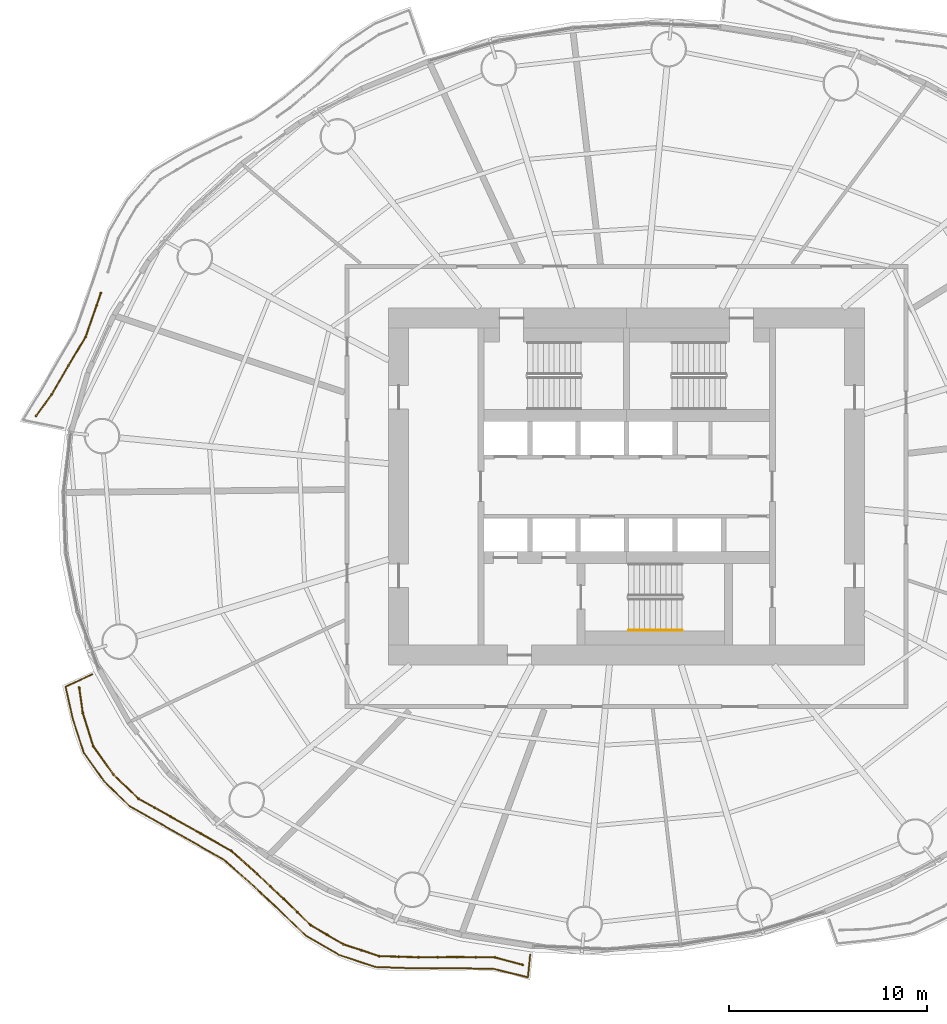
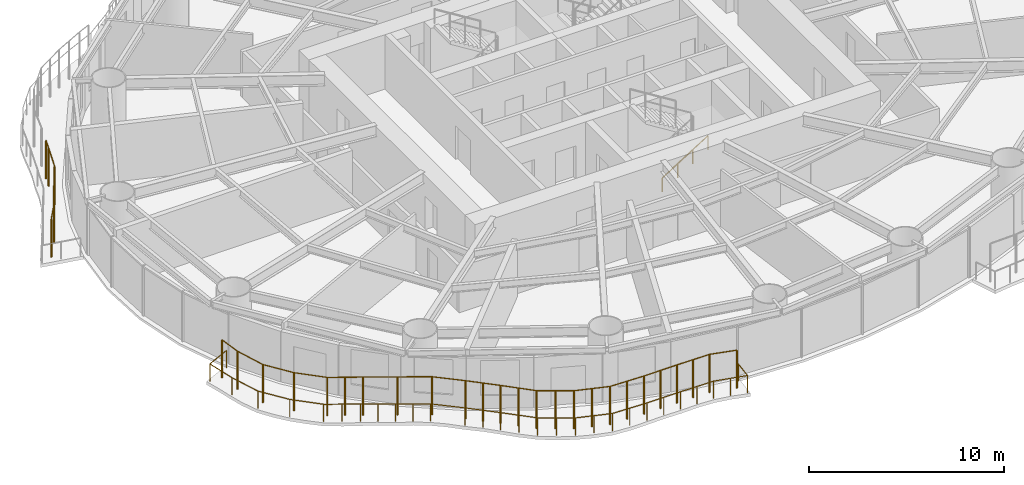
# One storey, part 12 of 16: 4 railings.
"""IFC4 building model written with IfcOpenShell, lengths in metres."""

from ifc_helpers import new_model, si_unit, direction, frame, origin, origin_2d, place, context, subcontext, project, spatial, circle, extrude, material, type_object, element, save


model = new_model("IFC4")

# Units and contexts
model_context = context("Model", 3, precision=1e-05, world=origin(), true_north=direction((0.0, 1.0)))
body_context = subcontext(model_context, "Body", "Model", "MODEL_VIEW")
ifc_project = project(units=[si_unit("LENGTHUNIT", "METRE"), si_unit("AREAUNIT", "SQUARE_METRE"), si_unit("VOLUMEUNIT", "CUBIC_METRE"), si_unit("PLANEANGLEUNIT", "RADIAN"), si_unit("MASSUNIT", "GRAM", prefix="KILO")], contexts=[model_context])

# Site, building, storey
site_placement = place(None, origin())
site = spatial("IfcSite", under=ifc_project, at=site_placement, CompositionType="ELEMENT")
building_placement = place(site_placement, origin())
building = spatial("IfcBuilding", under=site, at=building_placement, Name="Vermilion Reach Broadcast Tower", CompositionType="ELEMENT")
storey_placement = place(building_placement, frame((0.0, 0.0, 61.89990234375)))
storey = spatial("IfcBuildingStorey", under=building, at=storey_placement, Name="L12", CompositionType="ELEMENT", Elevation=61.89990234375)

# Railings
ifc_material_1 = material(Name="Terracotta baguette", Category="masonry")
railing_type_1 = type_object("IfcRailingType", Name="BAGUETTE SCREEN", PredefinedType="USERDEFINED", material=ifc_material_1)
railing_1_placement = place(storey_placement, frame((-32.52294921875, 9.761474609375, 0.0)))
element("IfcRailing", 1, at=railing_1_placement, inside=storey, type_object=railing_type_1, Name="Baguette screen L12 group 2 part 3", ObjectType="BAGUETTE SCREEN", PredefinedType="USERDEFINED", context=body_context, shape_type="SweptSolid", body=[
    extrude(circle(Radius=0.030029296875, at=origin_2d()), frame((0.0, 0.0, 2.369873046875), z_axis=(-0.320466068146, -0.947259995549, 0.0), x_axis=(0.947259995549, -0.320466068146, 0.0)), (0.0, 0.0, 1.0), 0.67333984375),
    extrude(circle(Radius=0.030029296875, at=origin_2d()), frame((-0.2158203125, -0.637939453125, 2.369873046875), z_axis=(-0.331229276128, -0.943550298943, 0.0), x_axis=(0.943550298943, -0.331229276128, 0.0)), (0.0, 0.0, 1.0), 1.670166015625),
    extrude(circle(Radius=0.030029296875, at=origin_2d()), frame((-0.76904296875, -2.2138671875, 2.369873046875), z_axis=(-0.513020723862, -0.858376221064, 0.0), x_axis=(0.858376221064, -0.513020723862, 0.0)), (0.0, 0.0, 1.0), 1.680419921875),
    extrude(circle(Radius=0.030029296875, at=origin_2d()), frame((-1.631103515625, -3.65625, 2.369873046875), z_axis=(-0.502756123211, -0.864428296953, 0.0), x_axis=(0.864428296953, -0.502756123211, 0.0)), (0.0, 0.0, 1.0), 1.68896484375),
    extrude(circle(Radius=0.030029296875, at=origin_2d()), frame((-2.480224609375, -5.1162109375, 2.369873046875), z_axis=(-0.588388437754, -0.808578410742, 0.0), x_axis=(0.808578410742, -0.588388437754, 0.0)), (0.0, 0.0, 1.0), 1.33935546875),
    extrude(circle(Radius=0.050048828125, at=origin_2d()), origin(), (0.0, 0.0, 1.0), 2.33984375),
    extrude(circle(Radius=0.050048828125, at=origin_2d()), frame((-0.2158203125, -0.637939453125, 0.0)), (0.0, 0.0, 1.0), 2.33984375),
    extrude(circle(Radius=0.050048828125, at=origin_2d()), frame((-0.76904296875, -2.2138671875, 0.0)), (0.0, 0.0, 1.0), 2.33984375),
    extrude(circle(Radius=0.050048828125, at=origin_2d()), frame((-1.631103515625, -3.65625, 0.0)), (0.0, 0.0, 1.0), 2.33984375),
    extrude(circle(Radius=0.050048828125, at=origin_2d()), frame((-2.480224609375, -5.1162109375, 0.0)), (0.0, 0.0, 1.0), 2.33984375),
    extrude(circle(Radius=0.050048828125, at=origin_2d()), frame((-3.268310546875, -6.19921875, 0.0)), (0.0, 0.0, 1.0), 2.33984375),
])
railing_2_placement = place(storey_placement, frame((-33.613037109375, -10.14208984375, 0.0)))
element("IfcRailing", 2, at=railing_2_placement, inside=storey, type_object=railing_type_1, Name="Baguette screen L12 group 3", ObjectType="BAGUETTE SCREEN", PredefinedType="USERDEFINED", context=body_context, shape_type="SweptSolid", body=[
    extrude(circle(Radius=0.030029296875, at=origin_2d()), frame((0.0, 0.0, 2.369873046875), z_axis=(0.138658900902, -0.99034019872, 0.0), x_axis=(0.99034019872, 0.138658900902, 0.0)), (0.0, 0.0, 1.0), 1.29931640625),
    extrude(circle(Radius=0.030029296875, at=origin_2d()), frame((0.18017578125, -1.286865234375, 2.369873046875), z_axis=(0.301257779547, -0.953542736463, 0.0), x_axis=(0.953542736463, 0.301257779547, 0.0)), (0.0, 0.0, 1.0), 1.756103515625),
    extrude(circle(Radius=0.030029296875, at=origin_2d()), frame((0.709228515625, -2.96142578125, 2.369873046875), z_axis=(0.580593120806, -0.814193851655, 0.0), x_axis=(0.814193851655, 0.580593120806, 0.0)), (0.0, 0.0, 1.0), 1.754638671875),
    extrude(circle(Radius=0.030029296875, at=origin_2d()), frame((1.72802734375, -4.39013671875, 2.369873046875), z_axis=(0.720150031843, -0.693818370783, 0.0), x_axis=(0.693818370783, 0.720150031843, 0.0)), (0.0, 0.0, 1.0), 1.75244140625),
    extrude(circle(Radius=0.030029296875, at=origin_2d()), frame((2.989990234375, -5.60595703125, 2.369873046875), z_axis=(0.873510643514, -0.486805048934, 0.0), x_axis=(0.486805048934, 0.873510643514, 0.0)), (0.0, 0.0, 1.0), 1.836669921875),
    extrude(circle(Radius=0.030029296875, at=origin_2d()), frame((4.59423828125, -6.5, 2.369873046875), z_axis=(0.871915370776, -0.489656600287, 0.0), x_axis=(0.489656600287, 0.871915370776, 0.0)), (0.0, 0.0, 1.0), 1.763916015625),
    extrude(circle(Radius=0.030029296875, at=origin_2d()), frame((6.13232421875, -7.36376953125, 2.369873046875), z_axis=(0.869841827298, -0.493330716135, 0.0), x_axis=(0.493330716135, 0.869841827298, 0.0)), (0.0, 0.0, 1.0), 1.76171875),
    extrude(circle(Radius=0.030029296875, at=origin_2d()), frame((7.664794921875, -8.23291015625, 2.369873046875), z_axis=(0.747363168218, -0.664415754472, 0.0), x_axis=(0.664415754472, 0.747363168218, 0.0)), (0.0, 0.0, 1.0), 1.751220703125),
    extrude(circle(Radius=0.030029296875, at=origin_2d()), frame((8.9736328125, -9.396484375, 2.369873046875), z_axis=(0.728347603327, -0.685207828857, 0.0), x_axis=(0.685207828857, 0.728347603327, 0.0)), (0.0, 0.0, 1.0), 1.844970703125),
    extrude(circle(Radius=0.030029296875, at=origin_2d()), frame((10.3173828125, -10.66064453125, 2.369873046875), z_axis=(0.716430873022, -0.69765808544, 0.0), x_axis=(0.69765808544, 0.716430873022, 0.0)), (0.0, 0.0, 1.0), 1.91162109375),
    extrude(circle(Radius=0.030029296875, at=origin_2d()), frame((11.68701171875, -11.994384765625, 2.369873046875), z_axis=(0.864433380828, -0.502747382002, 0.0), x_axis=(0.502747382002, 0.864433380828, 0.0)), (0.0, 0.0, 1.0), 1.905517578125),
    extrude(circle(Radius=0.030029296875, at=origin_2d()), frame((13.334228515625, -12.952392578125, 2.369873046875), z_axis=(0.949862346045, -0.312668392335, 0.0), x_axis=(0.312668392335, 0.949862346045, 0.0)), (0.0, 0.0, 1.0), 1.894287109375),
    extrude(circle(Radius=0.030029296875, at=origin_2d()), frame((15.133544921875, -13.544677734375, 2.369873046875), z_axis=(0.999536873984, -0.030430865016, 0.0), x_axis=(0.030430865016, 0.999536873984, 0.0)), (0.0, 0.0, 1.0), 1.981689453125),
    extrude(circle(Radius=0.030029296875, at=origin_2d()), frame((17.1142578125, -13.60498046875, 2.369873046875), z_axis=(0.999976891415, 0.006798281775, 0.0), x_axis=(-0.006798281775, 0.999976891415, 0.0)), (0.0, 0.0, 1.0), 1.939208984375),
    extrude(circle(Radius=0.030029296875, at=origin_2d()), frame((19.053466796875, -13.591796875, 2.369873046875), z_axis=(0.999950625992, -0.009937081007, 0.0), x_axis=(0.009937081007, 0.999950625992, 0.0)), (0.0, 0.0, 1.0), 1.916259765625),
    extrude(circle(Radius=0.030029296875, at=origin_2d()), frame((20.9697265625, -13.61083984375, 2.369873046875), z_axis=(0.965914906468, -0.25885979499, 0.0), x_axis=(0.25885979499, 0.965914906468, 0.0)), (0.0, 0.0, 1.0), 1.44677734375),
    extrude(circle(Radius=0.050048828125, at=origin_2d()), origin(), (0.0, 0.0, 1.0), 2.33984375),
    extrude(circle(Radius=0.050048828125, at=origin_2d()), frame((0.18017578125, -1.286865234375, 0.0)), (0.0, 0.0, 1.0), 2.33984375),
    extrude(circle(Radius=0.050048828125, at=origin_2d()), frame((0.709228515625, -2.96142578125, 0.0)), (0.0, 0.0, 1.0), 2.33984375),
    extrude(circle(Radius=0.050048828125, at=origin_2d()), frame((1.72802734375, -4.39013671875, 0.0)), (0.0, 0.0, 1.0), 2.33984375),
    extrude(circle(Radius=0.050048828125, at=origin_2d()), frame((2.989990234375, -5.60595703125, 0.0)), (0.0, 0.0, 1.0), 2.33984375),
    extrude(circle(Radius=0.050048828125, at=origin_2d()), frame((3.7919921875, -6.052978515625, 0.0)), (0.0, 0.0, 1.0), 2.33984375),
    extrude(circle(Radius=0.050048828125, at=origin_2d()), frame((4.59423828125, -6.5, 0.0)), (0.0, 0.0, 1.0), 2.33984375),
    extrude(circle(Radius=0.050048828125, at=origin_2d()), frame((6.13232421875, -7.36376953125, 0.0)), (0.0, 0.0, 1.0), 2.33984375),
    extrude(circle(Radius=0.050048828125, at=origin_2d()), frame((7.664794921875, -8.23291015625, 0.0)), (0.0, 0.0, 1.0), 2.33984375),
    extrude(circle(Radius=0.050048828125, at=origin_2d()), frame((8.9736328125, -9.396484375, 0.0)), (0.0, 0.0, 1.0), 2.33984375),
    extrude(circle(Radius=0.050048828125, at=origin_2d()), frame((9.6455078125, -10.028564453125, 0.0)), (0.0, 0.0, 1.0), 2.33984375),
    extrude(circle(Radius=0.050048828125, at=origin_2d()), frame((10.3173828125, -10.66064453125, 0.0)), (0.0, 0.0, 1.0), 2.33984375),
    extrude(circle(Radius=0.050048828125, at=origin_2d()), frame((11.002197265625, -11.32763671875, 0.0)), (0.0, 0.0, 1.0), 2.33984375),
    extrude(circle(Radius=0.050048828125, at=origin_2d()), frame((11.68701171875, -11.994384765625, 0.0)), (0.0, 0.0, 1.0), 2.33984375),
    extrude(circle(Radius=0.050048828125, at=origin_2d()), frame((12.5107421875, -12.473388671875, 0.0)), (0.0, 0.0, 1.0), 2.33984375),
    extrude(circle(Radius=0.050048828125, at=origin_2d()), frame((13.334228515625, -12.952392578125, 0.0)), (0.0, 0.0, 1.0), 2.33984375),
    extrude(circle(Radius=0.050048828125, at=origin_2d()), frame((14.23388671875, -13.24853515625, 0.0)), (0.0, 0.0, 1.0), 2.33984375),
    extrude(circle(Radius=0.050048828125, at=origin_2d()), frame((15.133544921875, -13.544677734375, 0.0)), (0.0, 0.0, 1.0), 2.33984375),
    extrude(circle(Radius=0.050048828125, at=origin_2d()), frame((16.1240234375, -13.57470703125, 0.0)), (0.0, 0.0, 1.0), 2.33984375),
    extrude(circle(Radius=0.050048828125, at=origin_2d()), frame((17.1142578125, -13.60498046875, 0.0)), (0.0, 0.0, 1.0), 2.33984375),
    extrude(circle(Radius=0.050048828125, at=origin_2d()), frame((18.083984375, -13.598388671875, 0.0)), (0.0, 0.0, 1.0), 2.33984375),
    extrude(circle(Radius=0.050048828125, at=origin_2d()), frame((19.053466796875, -13.591796875, 0.0)), (0.0, 0.0, 1.0), 2.33984375),
    extrude(circle(Radius=0.050048828125, at=origin_2d()), frame((20.01171875, -13.601318359375, 0.0)), (0.0, 0.0, 1.0), 2.33984375),
    extrude(circle(Radius=0.050048828125, at=origin_2d()), frame((20.9697265625, -13.61083984375, 0.0)), (0.0, 0.0, 1.0), 2.33984375),
    extrude(circle(Radius=0.050048828125, at=origin_2d()), frame((22.3671875, -13.9853515625, 0.0)), (0.0, 0.0, 1.0), 2.33984375),
])
ifc_material_2 = material(Name="Stainless steel 316 balustrade", Category="steel")
railing_type_2 = type_object("IfcRailingType", Name="Balcony guard 1100", PredefinedType="BALUSTRADE", material=ifc_material_2)
railing_3_placement = place(storey_placement, frame((-32.9638671875, -9.47998046875, 0.0)))
element("IfcRailing", 3, at=railing_3_placement, inside=storey, type_object=railing_type_2, Name="Balcony guard L12 group 3", PredefinedType="BALUSTRADE", context=body_context, shape_type="SweptSolid", body=[
    extrude(circle(Radius=0.02490234375, at=origin_2d()), frame((0.0, 0.0, 1.0751953125), z_axis=(-0.907857458426, -0.419278946742, 0.0), x_axis=(0.419278946742, -0.907857458426, 0.0)), (0.0, 0.0, 1.0), 1.47265625),
    extrude(circle(Radius=0.02490234375, at=origin_2d()), frame((-1.3369140625, -0.617431640625, 1.0751953125), z_axis=(0.218648483232, -0.975803689673, 0.0), x_axis=(0.975803689673, 0.218648483232, 0.0)), (0.0, 0.0, 1.0), 1.65478515625),
    extrude(circle(Radius=0.02490234375, at=origin_2d()), frame((-0.97509765625, -2.232177734375, 1.0751953125), z_axis=(0.306721101997, -0.95179943559, 0.0), x_axis=(0.95179943559, 0.306721101997, 0.0)), (0.0, 0.0, 1.0), 1.798095703125),
    extrude(circle(Radius=0.02490234375, at=origin_2d()), frame((-0.423583984375, -3.943603515625, 1.0751953125), z_axis=(0.580621484464, -0.814173625082, 0.0), x_axis=(0.814173625082, 0.580621484464, 0.0)), (0.0, 0.0, 1.0), 1.798095703125),
    extrude(circle(Radius=0.02490234375, at=origin_2d()), frame((0.620361328125, -5.407470703125, 1.0751953125), z_axis=(0.718382651924, -0.695648162087, 0.0), x_axis=(0.695648162087, 0.718382651924, 0.0)), (0.0, 0.0, 1.0), 1.79345703125),
    extrude(circle(Radius=0.02490234375, at=origin_2d()), frame((1.90869140625, -6.655029296875, 1.0751953125), z_axis=(0.870349468157, -0.49243456751, 0.0), x_axis=(0.49243456751, 0.870349468157, 0.0)), (0.0, 0.0, 1.0), 1.8759765625),
    extrude(circle(Radius=0.02490234375, at=origin_2d()), frame((3.54150390625, -7.578857421875, 1.0751953125), z_axis=(0.869582160412, -0.493788280838, 0.0), x_axis=(0.493788280838, 0.869582160412, 0.0)), (0.0, 0.0, 1.0), 1.80224609375),
    extrude(circle(Radius=0.02490234375, at=origin_2d()), frame((5.108642578125, -8.46875, 1.0751953125), z_axis=(0.868176382757, -0.496255749007, 0.0), x_axis=(0.496255749007, 0.868176382757, 0.0)), (0.0, 0.0, 1.0), 1.800537109375),
    extrude(circle(Radius=0.02490234375, at=origin_2d()), frame((6.671875, -9.3623046875, 1.0751953125), z_axis=(0.74912423825, -0.662429525057, 0.0), x_axis=(0.662429525057, 0.74912423825, 0.0)), (0.0, 0.0, 1.0), 1.788330078125),
    extrude(circle(Radius=0.02490234375, at=origin_2d()), frame((8.011474609375, -10.546875, 1.0751953125), z_axis=(0.731271006317, -0.68208702914, 0.0), x_axis=(0.68208702914, 0.731271006317, 0.0)), (0.0, 0.0, 1.0), 1.88134765625),
    extrude(circle(Radius=0.02490234375, at=origin_2d()), frame((9.38720703125, -11.830078125, 1.0751953125), z_axis=(0.72009726956, -0.693873131323, 0.0), x_axis=(0.693873131323, 0.72009726956, 0.0)), (0.0, 0.0, 1.0), 1.94580078125),
    extrude(circle(Radius=0.02490234375, at=origin_2d()), frame((10.788330078125, -13.18017578125, 1.0751953125), z_axis=(0.865489438538, -0.500927172131, 0.0), x_axis=(0.500927172131, 0.865489438538, 0.0)), (0.0, 0.0, 1.0), 1.940673828125),
    extrude(circle(Radius=0.02490234375, at=origin_2d()), frame((12.468017578125, -14.15234375, 1.0751953125), z_axis=(0.949666324011, -0.313263264747, 0.0), x_axis=(0.313263264747, 0.949666324011, 0.0)), (0.0, 0.0, 1.0), 1.92822265625),
    extrude(circle(Radius=0.02490234375, at=origin_2d()), frame((14.299072265625, -14.75634765625, 1.0751953125), z_axis=(0.999390643823, -0.03490474235, 0.0), x_axis=(0.03490474235, 0.999390643823, 0.0)), (0.0, 0.0, 1.0), 2.014404296875),
    extrude(circle(Radius=0.02490234375, at=origin_2d()), frame((16.312255859375, -14.82666015625, 1.0751953125), z_axis=(0.999996286845, 0.002725123041, 0.0), x_axis=(-0.002725123041, 0.999996286845, 0.0)), (0.0, 0.0, 1.0), 1.970947265625),
    extrude(circle(Radius=0.02490234375, at=origin_2d()), frame((18.283203125, -14.8212890625, 1.0751953125), z_axis=(0.999918320823, -0.012780910868, 0.0), x_axis=(0.012780910868, 0.999918320823, 0.0)), (0.0, 0.0, 1.0), 1.948486328125),
    extrude(circle(Radius=0.02490234375, at=origin_2d()), frame((20.2314453125, -14.84619140625, 1.0751953125), z_axis=(0.9714163172, -0.237382262771, 0.0), x_axis=(0.237382262771, 0.9714163172, 0.0)), (0.0, 0.0, 1.0), 1.80712890625),
    extrude(circle(Radius=0.02490234375, at=origin_2d()), frame((21.98681640625, -15.275146484375, 1.0751953125), z_axis=(0.099016701536, 0.995085771588, 0.0), x_axis=(-0.995085771588, 0.099016701536, 0.0)), (0.0, 0.0, 1.0), 1.1416015625),
    extrude(circle(Radius=0.02490234375, at=origin_2d()), origin(), (0.0, 0.0, 1.0), 1.050048828125),
    extrude(circle(Radius=0.02490234375, at=origin_2d()), frame((-1.3369140625, -0.617431640625, 0.0)), (0.0, 0.0, 1.0), 1.050048828125),
    extrude(circle(Radius=0.02490234375, at=origin_2d()), frame((-0.97509765625, -2.232177734375, 0.0)), (0.0, 0.0, 1.0), 1.050048828125),
    extrude(circle(Radius=0.02490234375, at=origin_2d()), frame((-0.423583984375, -3.943603515625, 0.0)), (0.0, 0.0, 1.0), 1.050048828125),
    extrude(circle(Radius=0.02490234375, at=origin_2d()), frame((0.620361328125, -5.407470703125, 0.0)), (0.0, 0.0, 1.0), 1.050048828125),
    extrude(circle(Radius=0.02490234375, at=origin_2d()), frame((1.90869140625, -6.655029296875, 0.0)), (0.0, 0.0, 1.0), 1.050048828125),
    extrude(circle(Radius=0.02490234375, at=origin_2d()), frame((2.72509765625, -7.116943359375, 0.0)), (0.0, 0.0, 1.0), 1.050048828125),
    extrude(circle(Radius=0.02490234375, at=origin_2d()), frame((3.54150390625, -7.578857421875, 0.0)), (0.0, 0.0, 1.0), 1.050048828125),
    extrude(circle(Radius=0.02490234375, at=origin_2d()), frame((4.3251953125, -8.02392578125, 0.0)), (0.0, 0.0, 1.0), 1.050048828125),
    extrude(circle(Radius=0.02490234375, at=origin_2d()), frame((5.108642578125, -8.46875, 0.0)), (0.0, 0.0, 1.0), 1.050048828125),
    extrude(circle(Radius=0.02490234375, at=origin_2d()), frame((5.89013671875, -8.91552734375, 0.0)), (0.0, 0.0, 1.0), 1.050048828125),
    extrude(circle(Radius=0.02490234375, at=origin_2d()), frame((6.671875, -9.3623046875, 0.0)), (0.0, 0.0, 1.0), 1.050048828125),
    extrude(circle(Radius=0.02490234375, at=origin_2d()), frame((8.011474609375, -10.546875, 0.0)), (0.0, 0.0, 1.0), 1.050048828125),
    extrude(circle(Radius=0.02490234375, at=origin_2d()), frame((8.69921875, -11.1884765625, 0.0)), (0.0, 0.0, 1.0), 1.050048828125),
    extrude(circle(Radius=0.02490234375, at=origin_2d()), frame((9.38720703125, -11.830078125, 0.0)), (0.0, 0.0, 1.0), 1.050048828125),
    extrude(circle(Radius=0.02490234375, at=origin_2d()), frame((10.087890625, -12.505126953125, 0.0)), (0.0, 0.0, 1.0), 1.050048828125),
    extrude(circle(Radius=0.02490234375, at=origin_2d()), frame((10.788330078125, -13.18017578125, 0.0)), (0.0, 0.0, 1.0), 1.050048828125),
    extrude(circle(Radius=0.02490234375, at=origin_2d()), frame((11.628173828125, -13.666259765625, 0.0)), (0.0, 0.0, 1.0), 1.050048828125),
    extrude(circle(Radius=0.02490234375, at=origin_2d()), frame((12.468017578125, -14.15234375, 0.0)), (0.0, 0.0, 1.0), 1.050048828125),
    extrude(circle(Radius=0.02490234375, at=origin_2d()), frame((13.383544921875, -14.454345703125, 0.0)), (0.0, 0.0, 1.0), 1.050048828125),
    extrude(circle(Radius=0.02490234375, at=origin_2d()), frame((14.299072265625, -14.75634765625, 0.0)), (0.0, 0.0, 1.0), 1.050048828125),
    extrude(circle(Radius=0.02490234375, at=origin_2d()), frame((15.3056640625, -14.79150390625, 0.0)), (0.0, 0.0, 1.0), 1.050048828125),
    extrude(circle(Radius=0.02490234375, at=origin_2d()), frame((16.312255859375, -14.82666015625, 0.0)), (0.0, 0.0, 1.0), 1.050048828125),
    extrude(circle(Radius=0.02490234375, at=origin_2d()), frame((17.2978515625, -14.823974609375, 0.0)), (0.0, 0.0, 1.0), 1.050048828125),
    extrude(circle(Radius=0.02490234375, at=origin_2d()), frame((18.283203125, -14.8212890625, 0.0)), (0.0, 0.0, 1.0), 1.050048828125),
    extrude(circle(Radius=0.02490234375, at=origin_2d()), frame((19.25732421875, -14.833740234375, 0.0)), (0.0, 0.0, 1.0), 1.050048828125),
    extrude(circle(Radius=0.02490234375, at=origin_2d()), frame((20.2314453125, -14.84619140625, 0.0)), (0.0, 0.0, 1.0), 1.050048828125),
    extrude(circle(Radius=0.02490234375, at=origin_2d()), frame((21.109130859375, -15.060546875, 0.0)), (0.0, 0.0, 1.0), 1.050048828125),
    extrude(circle(Radius=0.02490234375, at=origin_2d()), frame((21.98681640625, -15.275146484375, 0.0)), (0.0, 0.0, 1.0), 1.050048828125),
    extrude(circle(Radius=0.02490234375, at=origin_2d()), frame((22.099853515625, -14.13916015625, 0.0)), (0.0, 0.0, 1.0), 1.050048828125),
])
ifc_material_3 = material(Name="Stainless steel", Category="steel")
railing_type_3 = type_object("IfcRailingType", Name="Stair handrail", PredefinedType="HANDRAIL", material=ifc_material_3)
railing_4_placement = place(storey_placement, frame((-5.89990234375, -7.25, 0.168212890625)))
element("IfcRailing", 4, at=railing_4_placement, inside=storey, type_object=railing_type_3, Name="L12 ST3 stair handrail 1", PredefinedType="HANDRAIL", context=body_context, shape_type="SweptSolid", body=[
    extrude(circle(Radius=0.02392578125, at=origin_2d()), frame((0.0, 0.0, 0.8759765625), z_axis=(0.848786430784, 0.0, 0.528735846068), x_axis=(0.0, 1.0, 0.0)), (0.0, 0.0, 1.0), 3.180908203125),
    extrude(circle(Radius=0.02099609375, at=origin_2d()), origin(), (0.0, 0.0, 1.0), 0.851806640625),
    extrude(circle(Radius=0.02099609375, at=origin_2d()), frame((0.89990234375, 0.0, 0.560546875)), (0.0, 0.0, 1.0), 0.851806640625),
    extrude(circle(Radius=0.02099609375, at=origin_2d()), frame((1.800048828125, 0.0, 1.121337890625)), (0.0, 0.0, 1.0), 0.851806640625),
    extrude(circle(Radius=0.02099609375, at=origin_2d()), frame((2.699951171875, 0.0, 1.681884765625)), (0.0, 0.0, 1.0), 0.851806640625),
])

save(model, "model.ifc")
